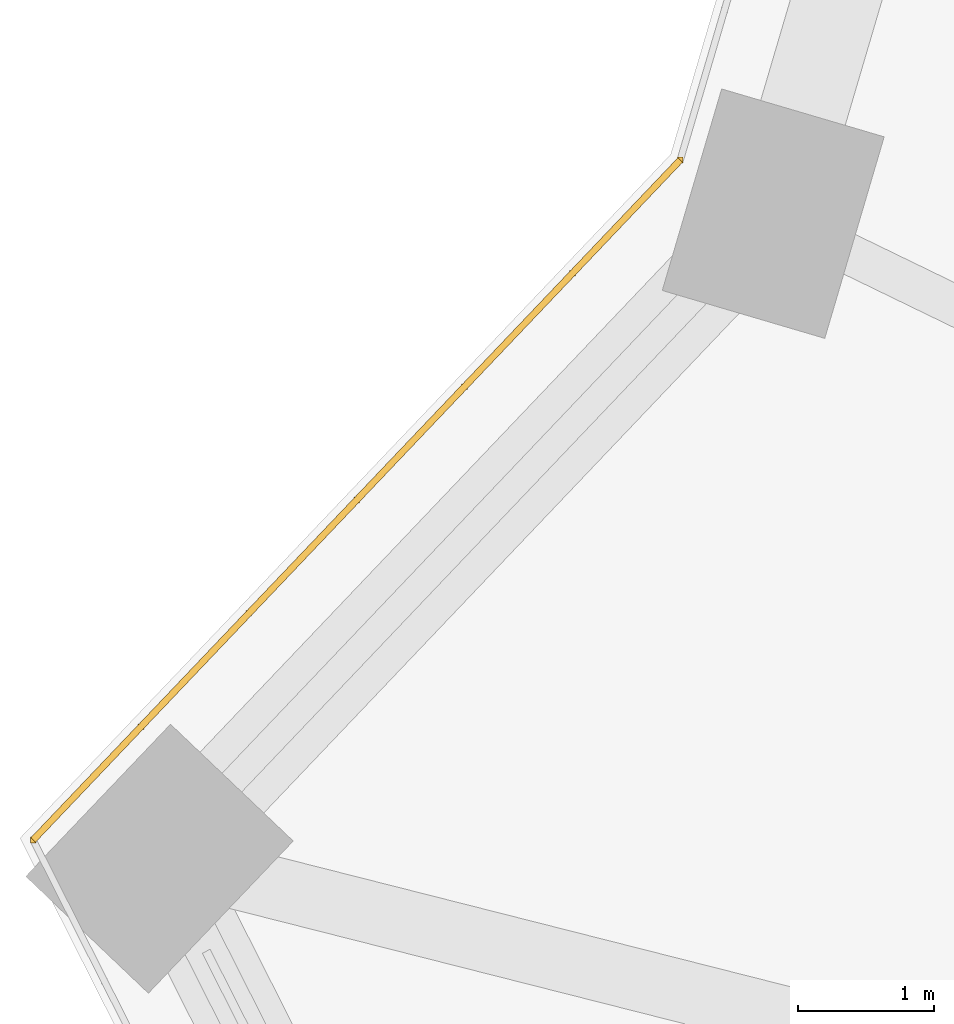
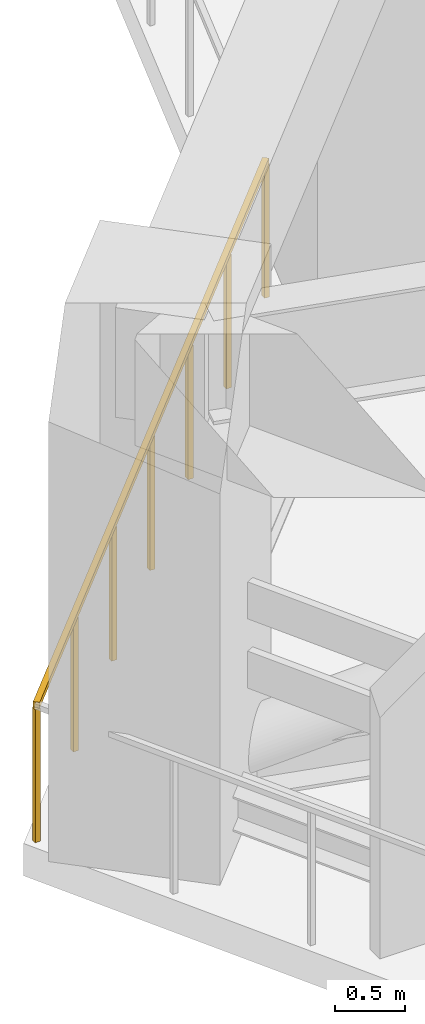
# One storey, part 23 of 25: 1 railing.
"""IFC4 building model written with IfcOpenShell, lengths in metres."""

from ifc_helpers import new_model, si_unit, direction, frame, origin, origin_2d, place, context, subcontext, project, spatial, rectangle, extrude, material, type_object, element, save


model = new_model("IFC4")

# Units and contexts
model_context = context("Model", 3, precision=1e-05, world=origin(), true_north=direction((0.0, 1.0)))
body_context = subcontext(model_context, "Body", "Model", "MODEL_VIEW")
ifc_project = project(units=[si_unit("LENGTHUNIT", "METRE"), si_unit("AREAUNIT", "SQUARE_METRE"), si_unit("VOLUMEUNIT", "CUBIC_METRE"), si_unit("PLANEANGLEUNIT", "RADIAN"), si_unit("MASSUNIT", "GRAM", prefix="KILO")], contexts=[model_context])

# Site, building, storey
site_placement = place(None, origin())
site = spatial("IfcSite", under=ifc_project, at=site_placement, CompositionType="ELEMENT")
building_placement = place(site_placement, origin())
building = spatial("IfcBuilding", under=site, at=building_placement, Name="Liaohun Quay Tower", CompositionType="ELEMENT")
storey_placement = place(building_placement, frame((0.0, 0.0, 47.25)))
storey = spatial("IfcBuildingStorey", under=building, at=storey_placement, Name="L12", CompositionType="ELEMENT", Elevation=47.25)

# Railing
ifc_material = material(Name="Galvanised and powder-coated steel", Category="steel")
railing_type = type_object("IfcRailingType", Name="RLG-GUARD-EXT", PredefinedType="GUARDRAIL", material=ifc_material)
railing_placement = place(storey_placement, frame((20.178955078125, 69.216064453125, 0.0)))
element("IfcRailing", 1, at=railing_placement, inside=storey, type_object=railing_type, Name="L12 Open Refuge Band Perimeter Guardrail 03", PredefinedType="GUARDRAIL", context=body_context, shape_type="SweptSolid", body=[
    extrude(rectangle(XDim=0.048095703125, YDim=0.048095703125, at=origin_2d()), frame((0.0, 0.0, 1.17578125), z_axis=(0.689372608705, 0.724406934235, 0.0), x_axis=(-0.724406934235, 0.689372608705, 0.0)), (0.0, 0.0, 1.0), 6.9267578125),
    extrude(rectangle(XDim=0.0419921875, YDim=0.0419921875, at=origin_2d()), origin(), (0.0, 0.0, 1.0), 1.15185546875),
    extrude(rectangle(XDim=0.0419921875, YDim=0.0419921875, at=origin_2d()), frame((0.7958984375, 0.83642578125, 0.0)), (0.0, 0.0, 1.0), 1.15185546875),
    extrude(rectangle(XDim=0.0419921875, YDim=0.0419921875, at=origin_2d()), frame((1.591796875, 1.672607421875, 0.0)), (0.0, 0.0, 1.0), 1.15185546875),
    extrude(rectangle(XDim=0.0419921875, YDim=0.0419921875, at=origin_2d()), frame((2.3876953125, 2.5087890625, 0.0)), (0.0, 0.0, 1.0), 1.15185546875),
    extrude(rectangle(XDim=0.0419921875, YDim=0.0419921875, at=origin_2d()), frame((3.183349609375, 3.34521484375, 0.0)), (0.0, 0.0, 1.0), 1.15185546875),
    extrude(rectangle(XDim=0.0419921875, YDim=0.0419921875, at=origin_2d()), frame((3.979248046875, 4.181640625, 0.0)), (0.0, 0.0, 1.0), 1.15185546875),
    extrude(rectangle(XDim=0.0419921875, YDim=0.0419921875, at=origin_2d()), frame((4.775146484375, 5.017822265625, 0.0)), (0.0, 0.0, 1.0), 1.15185546875),
])

save(model, "model.ifc")
